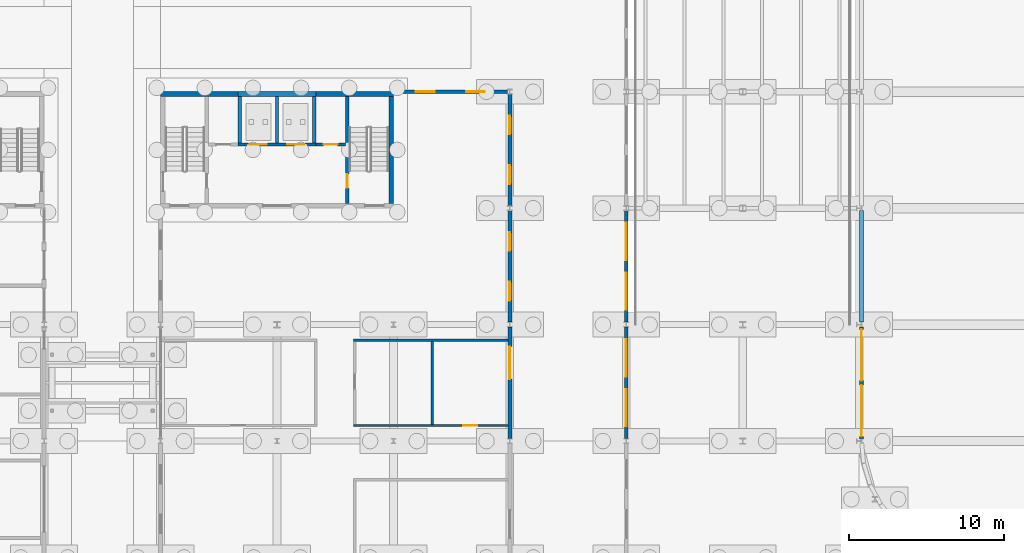
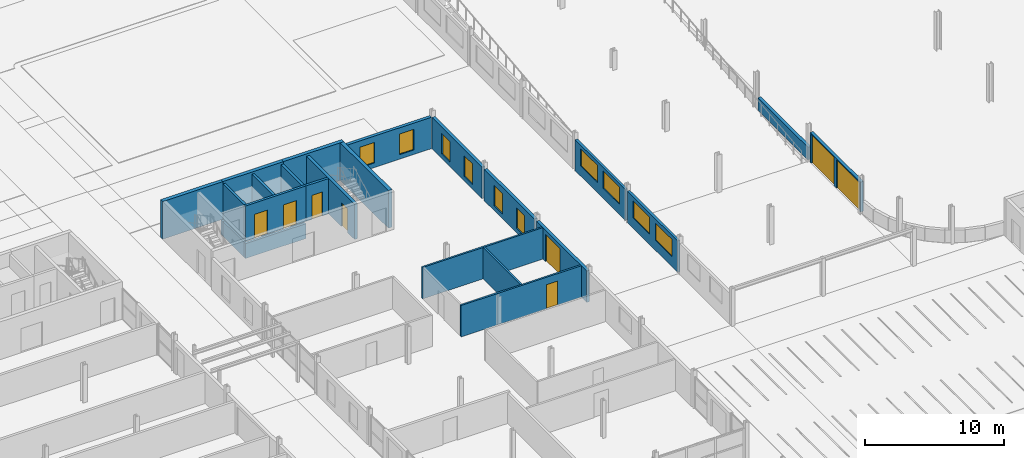
# One storey, part 88 of 130: 26 walls, 10 windows, 8 doors, 18 openings.
"""IFC4 building model written with IfcOpenShell, lengths in metres."""

from ifc_helpers import new_model, si_unit, direction, frame, frame_2d, origin, place, context, subcontext, project, spatial, rectangle, extrude, material, layer, layer_set, type_object, element, fill, save


model = new_model("IFC4")

# Units and contexts
model_context = context("Model", 3, precision=1e-05, world=origin(), true_north=direction((0.0, 1.0)))
body_context = subcontext(model_context, "Body", "Model", "MODEL_VIEW")
ifc_project = project(units=[si_unit("LENGTHUNIT", "METRE"), si_unit("AREAUNIT", "SQUARE_METRE"), si_unit("VOLUMEUNIT", "CUBIC_METRE"), si_unit("PLANEANGLEUNIT", "RADIAN"), si_unit("MASSUNIT", "GRAM", prefix="KILO")], contexts=[model_context])

# Site, building, storey
site_placement = place(None, origin())
site = spatial("IfcSite", under=ifc_project, at=site_placement, CompositionType="ELEMENT")
building_placement = place(site_placement, origin())
building = spatial("IfcBuilding", under=site, at=building_placement, Name="Parallax Yard Mobility Hub", CompositionType="ELEMENT")
storey_placement = place(building_placement, origin())
storey = spatial("IfcBuildingStorey", under=building, at=storey_placement, Name="L00", CompositionType="ELEMENT", Elevation=0.0)

# Walls
ifc_material_1 = material(Name="Concrete fc' 35 MPa", Category="concrete")
ifc_layer_1 = layer(ifc_material_1, 0.300048828125)
ifc_layer_set_1 = layer_set([ifc_layer_1], Name="Concrete fc' 35 MPa core wall 300")
wall_type_1 = type_object("IfcWallType", Name="Concrete fc' 35 MPa core wall 300", PredefinedType="SHEAR", material=ifc_layer_set_1)
for number, where, z_axis, x_axis, name in (
    (1, (150.0, 52.35009765625, 0.0), (0.0, 0.0, 1.0), (1.0, 0.0, 0.0), "Core C5 back wall part 1 level L00"),
    (2, (155.0, 52.35009765625, 0.0), (0.0, 0.0, 1.0), (1.0, 0.0, 0.0), "Core C5 back wall part 2 level L00"),
    (3, (160.0, 52.35009765625, 0.0), (0.0, 0.0, 1.0), (1.0, 0.0, 0.0), "Core C5 back wall part 3 level L00"),
):
    element("IfcWall", number, at=place(storey_placement, frame(where, z_axis=z_axis, x_axis=x_axis)), inside=storey, type_object=wall_type_1, Name=name, PredefinedType="SHEAR", context=body_context, shape_type="SweptSolid", body=[
        extrude(rectangle(XDim=5.0, YDim=0.300048828125, at=frame_2d((2.5, 0.0))), origin(), (0.0, 0.0, 1.0), 3.300048828125),
    ])
wall_1_placement = place(storey_placement, frame((164.85009765625, 45.300048828125, 0.0), z_axis=(0.0, 0.0, 1.0), x_axis=(0.0, 1.0, 0.0)))
element("IfcWall", 4, at=wall_1_placement, inside=storey, type_object=wall_type_1, Name="Core C5 east-side end wall level L00", PredefinedType="SHEAR", context=body_context, shape_type="SweptSolid", body=[
    extrude(rectangle(XDim=6.89990234375, YDim=0.300048828125, at=frame_2d((3.449951171875, 0.0))), origin(), (0.0, 0.0, 1.0), 3.300048828125),
])
wall_2_placement = place(storey_placement, frame((155.0, 52.35009765625, -1.5), z_axis=(0.0, 0.0, 1.0), x_axis=(1.0, 0.0, 0.0)))
element("IfcWall", 5, at=wall_2_placement, inside=storey, type_object=wall_type_1, Name="Core C5 lift pit wall back (shaft group 1)", PredefinedType="SHEAR", context=body_context, shape_type="SweptSolid", body=[
    extrude(rectangle(XDim=5.0, YDim=0.300048828125, at=frame_2d((2.5, 0.0))), origin(), (0.0, 0.0, 1.0), 1.300048828125),
])

# Wall, openings, doors
ifc_layer_2 = layer(ifc_material_1, 0.199951171875)
ifc_layer_set_2 = layer_set([ifc_layer_2], Name="Concrete fc' 35 MPa internal core wall 200")
wall_type_2 = type_object("IfcWallType", Name="Concrete fc' 35 MPa internal core wall 200", PredefinedType="STANDARD", material=ifc_layer_set_2)
wall_3_placement = place(storey_placement, frame((155.0, 49.10009765625, 0.0), z_axis=(0.0, 0.0, 1.0), x_axis=(1.0, 0.0, 0.0)))
wall_3 = element("IfcWall", 6, at=wall_3_placement, inside=storey, type_object=wall_type_2, Name="Core C5 lift front 2 part 2 level L00", PredefinedType="STANDARD", context=body_context, shape_type="SweptSolid", body=[
    extrude(rectangle(XDim=5.0, YDim=0.199951171875, at=frame_2d((2.5, 0.0))), origin(), (0.0, 0.0, 1.0), 3.10009765625),
])
opening_1_placement = place(wall_3_placement, frame((0.75, 0.0, 0.0)))
opening_1 = element("IfcOpeningElement", 7, at=opening_1_placement, cuts=wall_3, Name="Opening L00-D770", PredefinedType="OPENING", context=body_context, shape_type="SweptSolid", body=[
    extrude(rectangle(XDim=1.10009765625, YDim=2.10009765625, at=frame_2d((0.550048828125, 1.050048828125))), frame((0.0, 0.10986328125, 0.0), z_axis=(0.0, -1.0, 0.0), x_axis=(1.0, 0.0, 0.0)), (0.0, 0.0, 1.0), 0.219970703125),
])
opening_2_placement = place(wall_3_placement, frame((3.14990234375, 0.0, 0.0)))
opening_2 = element("IfcOpeningElement", 8, at=opening_2_placement, cuts=wall_3, Name="Opening L00-D771", PredefinedType="OPENING", context=body_context, shape_type="SweptSolid", body=[
    extrude(rectangle(XDim=1.10009765625, YDim=2.10009765625, at=frame_2d((0.550048828125, 1.050048828125))), frame((0.0, 0.10986328125, 0.0), z_axis=(0.0, -1.0, 0.0), x_axis=(1.0, 0.0, 0.0)), (0.0, 0.0, 1.0), 0.219970703125),
])
ifc_material_2 = material(Name="Stainless steel sliding door and frame", Category="steel")
door_type_1 = type_object("IfcDoorType", Name="Lift landing door 1100 x 2100 FD90", OperationType="DOUBLE_DOOR_SLIDING", PredefinedType="DOOR", material=ifc_material_2)
door_1_placement = place(opening_1_placement, origin())
door_1 = element("IfcDoor", 9, at=door_1_placement, inside=storey, type_object=door_type_1, Name="Lift landing door L00-D770, core C5 level L00", OperationType="DOUBLE_DOOR_SLIDING", OverallHeight=2.10009765625, OverallWidth=1.10009765625, PredefinedType="DOOR", context=body_context, shape_type="SweptSolid", body=[
    extrude(rectangle(XDim=1.10009765625, YDim=2.10009765625, at=frame_2d((0.550048828125, 1.050048828125))), frame((0.0, 0.02490234375, 0.0), z_axis=(0.0, -1.0, 0.0), x_axis=(1.0, 0.0, 0.0)), (0.0, 0.0, 1.0), 0.050048828125),
])
fill(opening_1, door_1)
door_2_placement = place(opening_2_placement, origin())
door_2 = element("IfcDoor", 10, at=door_2_placement, inside=storey, type_object=door_type_1, Name="Lift landing door L00-D771, core C5 level L00", OperationType="DOUBLE_DOOR_SLIDING", OverallHeight=2.10009765625, OverallWidth=1.10009765625, PredefinedType="DOOR", context=body_context, shape_type="SweptSolid", body=[
    extrude(rectangle(XDim=1.10009765625, YDim=2.10009765625, at=frame_2d((0.550048828125, 1.050048828125))), frame((0.0, 0.02490234375, 0.0), z_axis=(0.0, -1.0, 0.0), x_axis=(1.0, 0.0, 0.0)), (0.0, 0.0, 1.0), 0.050048828125),
])
fill(opening_2, door_2)

# Wall, opening, door
wall_4_placement = place(storey_placement, frame((161.89990234375, 49.10009765625, 0.0), z_axis=(0.0, 0.0, 1.0), x_axis=(-1.0, 0.0, 0.0)))
wall_4 = element("IfcWall", 11, at=wall_4_placement, inside=storey, type_object=wall_type_2, Name="Core C5 lift front 3 part 3 level L00", PredefinedType="STANDARD", context=body_context, shape_type="SweptSolid", body=[
    extrude(rectangle(XDim=1.89990234375, YDim=0.199951171875, at=frame_2d((0.949951171875, 0.0))), origin(), (0.0, 0.0, 1.0), 3.10009765625),
])
opening_3_placement = place(wall_4_placement, frame((0.5, 0.0, 0.0)))
opening_3 = element("IfcOpeningElement", 12, at=opening_3_placement, cuts=wall_4, Name="Opening L00-D773", PredefinedType="OPENING", context=body_context, shape_type="SweptSolid", body=[
    extrude(rectangle(XDim=0.89990234375, YDim=2.10009765625, at=frame_2d((0.449951171875, 1.050048828125))), frame((0.0, 0.10986328125, 0.0), z_axis=(0.0, -1.0, 0.0), x_axis=(1.0, 0.0, 0.0)), (0.0, 0.0, 1.0), 0.219970703125),
])
ifc_material_3 = material(Name="Hollow metal steel door and frame", Category="steel")
door_type_2 = type_object("IfcDoorType", Name="Riser door 900 x 2100 FD90", OperationType="NOTDEFINED", PredefinedType="DOOR", material=ifc_material_3)
door_3_placement = place(opening_3_placement, origin())
door_3 = element("IfcDoor", 13, at=door_3_placement, inside=storey, type_object=door_type_2, Name="Riser door L00-D773, core C5 level L00", OperationType="SINGLE_SWING_LEFT", OverallHeight=2.10009765625, OverallWidth=0.89990234375, PredefinedType="DOOR", context=body_context, shape_type="SweptSolid", body=[
    extrude(rectangle(XDim=0.89990234375, YDim=2.10009765625, at=frame_2d((0.449951171875, 1.050048828125))), frame((0.0, 0.02490234375, 0.0), z_axis=(0.0, -1.0, 0.0), x_axis=(1.0, 0.0, 0.0)), (0.0, 0.0, 1.0), 0.050048828125),
])
fill(opening_3, door_3)

# Walls
for number, where, z_axis, x_axis, name in (
    (14, (155.10009765625, 49.199951171875, 0.0), (0.0, 0.0, 1.0), (0.0, 1.0, 0.0), "Core C5 lift wall 1 part 1 level L00"),
    (15, (157.5, 49.199951171875, 0.0), (0.0, 0.0, 1.0), (0.0, 1.0, 0.0), "Core C5 lift wall 2 part 2 level L00"),
    (16, (159.89990234375, 49.199951171875, 0.0), (0.0, 0.0, 1.0), (0.0, 1.0, 0.0), "Core C5 lift wall 3 part 3 level L00"),
):
    element("IfcWall", number, at=place(storey_placement, frame(where, z_axis=z_axis, x_axis=x_axis)), inside=storey, type_object=wall_type_2, Name=name, PredefinedType="STANDARD", context=body_context, shape_type="SweptSolid", body=[
        extrude(rectangle(XDim=3.0, YDim=0.199951171875, at=frame_2d((1.5, 0.0))), origin(), (0.0, 0.0, 1.0), 3.10009765625),
    ])
wall_5_placement = place(storey_placement, frame((155.0, 49.10009765625, -1.5), z_axis=(0.0, 0.0, 1.0), x_axis=(1.0, 0.0, 0.0)))
element("IfcWall", 17, at=wall_5_placement, inside=storey, type_object=wall_type_2, Name="Core C5 lift pit wall front (shaft group 1)", PredefinedType="STANDARD", context=body_context, shape_type="SweptSolid", body=[
    extrude(rectangle(XDim=5.0, YDim=0.199951171875, at=frame_2d((2.5, 0.0))), origin(), (0.0, 0.0, 1.0), 1.300048828125),
])
for number, where, z_axis, x_axis, name in (
    (18, (155.10009765625, 49.199951171875, -1.5), (0.0, 0.0, 1.0), (0.0, 1.0, 0.0), "Core C5 lift pit wall side 1 (shaft group 1)"),
    (19, (157.5, 49.199951171875, -1.5), (0.0, 0.0, 1.0), (0.0, 1.0, 0.0), "Core C5 lift pit wall side 2 (shaft group 1)"),
    (20, (159.89990234375, 49.199951171875, -1.5), (0.0, 0.0, 1.0), (0.0, 1.0, 0.0), "Core C5 lift pit wall side 3 (shaft group 1)"),
):
    element("IfcWall", number, at=place(storey_placement, frame(where, z_axis=z_axis, x_axis=x_axis)), inside=storey, type_object=wall_type_2, Name=name, PredefinedType="STANDARD", context=body_context, shape_type="SweptSolid", body=[
        extrude(rectangle(XDim=3.0, YDim=0.199951171875, at=frame_2d((1.5, 0.0))), origin(), (0.0, 0.0, 1.0), 1.300048828125),
    ])

# Wall, opening, door
ifc_layer_3 = layer(ifc_material_1, 0.25)
ifc_layer_set_3 = layer_set([ifc_layer_3], Name="Concrete fc' 35 MPa stair enclosure wall 250")
wall_type_3 = type_object("IfcWallType", Name="Concrete fc' 35 MPa stair enclosure wall 250", PredefinedType="STANDARD", material=ifc_layer_set_3)
wall_6_placement = place(storey_placement, frame((162.02490234375, 52.199951171875, 0.0), z_axis=(0.0, 0.0, 1.0), x_axis=(0.0, -1.0, 0.0)))
wall_6 = element("IfcWall", 21, at=wall_6_placement, inside=storey, type_object=wall_type_3, Name="Core C5 stair 2 partition level L00", PredefinedType="STANDARD", context=body_context, shape_type="SweptSolid", body=[
    extrude(rectangle(XDim=6.89990234375, YDim=0.25, at=frame_2d((3.449951171875, 0.0))), origin(), (0.0, 0.0, 1.0), 3.10009765625),
])
opening_4_placement = place(wall_6_placement, frame((5.0, 0.0, 0.0)))
opening_4 = element("IfcOpeningElement", 22, at=opening_4_placement, cuts=wall_6, Name="Opening L00-D769", PredefinedType="OPENING", context=body_context, shape_type="SweptSolid", body=[
    extrude(rectangle(XDim=0.89990234375, YDim=2.10009765625, at=frame_2d((0.449951171875, 1.050048828125))), frame((0.0, 0.135009765625, 0.0), z_axis=(0.0, -1.0, 0.0), x_axis=(1.0, 0.0, 0.0)), (0.0, 0.0, 1.0), 0.27001953125),
])
door_type_3 = type_object("IfcDoorType", Name="Core door 900 x 2100 FD90", OperationType="NOTDEFINED", PredefinedType="DOOR", material=ifc_material_3)
door_4_placement = place(opening_4_placement, origin())
door_4 = element("IfcDoor", 23, at=door_4_placement, inside=storey, type_object=door_type_3, Name="Stair lobby door L00-D769, core C5 level L00", OperationType="SINGLE_SWING_RIGHT", OverallHeight=2.10009765625, OverallWidth=0.89990234375, PredefinedType="DOOR", context=body_context, shape_type="SweptSolid", body=[
    extrude(rectangle(XDim=0.89990234375, YDim=2.10009765625, at=frame_2d((0.449951171875, 1.050048828125))), frame((0.0, 0.02490234375, 0.0), z_axis=(0.0, -1.0, 0.0), x_axis=(1.0, 0.0, 0.0)), (0.0, 0.0, 1.0), 0.050048828125),
])
fill(opening_4, door_4)

# Wall
ifc_layer_4 = layer(ifc_material_1, 0.25)
ifc_layer_set_4 = layer_set([ifc_layer_4], Name="Deck-edge barrier wall, Concrete fc' 35 MPa precast, 250")
wall_type_4 = type_object("IfcWallType", Name="Deck-edge barrier wall, Concrete fc' 35 MPa precast, 250", PredefinedType="SOLIDWALL", material=ifc_layer_set_4)
wall_7_placement = place(storey_placement, frame((195.148681640625, 44.847412109375, 0.0), z_axis=(0.0, 0.0, 1.0), x_axis=(0.0, -1.0, 0.0)))
element("IfcWall", 24, at=wall_7_placement, inside=storey, type_object=wall_type_4, Name="Deck-edge barrier wall bay 28 level L00", PredefinedType="SOLIDWALL", context=body_context, shape_type="SweptSolid", body=[
    extrude(rectangle(XDim=7.19482421875, YDim=0.25, at=frame_2d((3.597412109375, 0.0))), origin(), (0.0, 0.0, 1.0), 1.10009765625),
])

# Wall, opening, door
ifc_layer_5 = layer(ifc_material_1, 0.25)
ifc_layer_set_5 = layer_set([ifc_layer_5], Name="Exterior wall, Concrete fc' 35 MPa precast, 250 with insulation lining")
wall_type_5 = type_object("IfcWallType", Name="Exterior wall, Concrete fc' 35 MPa precast, 250 with insulation lining", PredefinedType="SOLIDWALL", material=ifc_layer_set_5)
wall_8_placement = place(storey_placement, frame((172.5, 30.153564453125, 0.0), z_axis=(0.0, 0.0, 1.0), x_axis=(0.0, 1.0, 0.0)))
wall_8 = element("IfcWall", 25, at=wall_8_placement, inside=storey, type_object=wall_type_5, Name="Bicycle and shared-mobility hall east wall bay 4 level L00", PredefinedType="SOLIDWALL", context=body_context, shape_type="SweptSolid", body=[
    extrude(rectangle(XDim=7.19287109375, YDim=0.25, at=frame_2d((3.596435546875, 0.0))), origin(), (0.0, 0.0, 1.0), 2.7509765625),
])
opening_5_placement = place(wall_8_placement, frame((3.833984375, 0.0, 0.0)))
opening_5 = element("IfcOpeningElement", 26, at=opening_5_placement, cuts=wall_8, Name="Opening L00-D117", PredefinedType="OPENING", context=body_context, shape_type="SweptSolid", body=[
    extrude(rectangle(XDim=2.10009765625, YDim=2.39990234375, at=frame_2d((1.050048828125, 1.199951171875))), frame((0.0, 0.135009765625, 0.0), z_axis=(0.0, -1.0, 0.0), x_axis=(1.0, 0.0, 0.0)), (0.0, 0.0, 1.0), 0.27001953125),
])
ifc_material_4 = material(Name="Aluminium frame with laminated glass leaves", Category="aluminium")
door_type_4 = type_object("IfcDoorType", Name="Cycle hall door double 2100 x 2400", OperationType="DOUBLE_DOOR_SINGLE_SWING", PredefinedType="DOOR", material=ifc_material_4)
door_5_placement = place(opening_5_placement, origin())
door_5 = element("IfcDoor", 27, at=door_5_placement, inside=storey, type_object=door_type_4, Name="Store exit door L00-D117", OperationType="DOUBLE_DOOR_SINGLE_SWING", OverallHeight=2.39990234375, OverallWidth=2.10009765625, PredefinedType="DOOR", context=body_context, shape_type="SweptSolid", body=[
    extrude(rectangle(XDim=2.10009765625, YDim=2.39990234375, at=frame_2d((1.050048828125, 1.199951171875))), frame((0.0, 0.02490234375, 0.0), z_axis=(0.0, -1.0, 0.0), x_axis=(1.0, 0.0, 0.0)), (0.0, 0.0, 1.0), 0.050048828125),
])
fill(opening_5, door_5)

# Wall, openings, windows
wall_9_placement = place(storey_placement, frame((172.5, 37.653564453125, 0.0), z_axis=(0.0, 0.0, 1.0), x_axis=(0.0, 1.0, 0.0)))
wall_9 = element("IfcWall", 28, at=wall_9_placement, inside=storey, type_object=wall_type_5, Name="Bicycle and shared-mobility hall east wall bay 5 level L00", PredefinedType="SOLIDWALL", context=body_context, shape_type="SweptSolid", body=[
    extrude(rectangle(XDim=7.19287109375, YDim=0.25, at=frame_2d((3.596435546875, 0.0))), origin(), (0.0, 0.0, 1.0), 2.7509765625),
])
opening_6_placement = place(wall_9_placement, frame((1.397705078125, 0.0, 0.39990234375)))
opening_6 = element("IfcOpeningElement", 29, at=opening_6_placement, cuts=wall_9, Name="Opening LV7", PredefinedType="OPENING", context=body_context, shape_type="SweptSolid", body=[
    extrude(rectangle(XDim=1.199951171875, YDim=1.800048828125, at=frame_2d((0.60009765625, 0.89990234375))), frame((0.0, 0.135009765625, 0.0), z_axis=(0.0, -1.0, 0.0), x_axis=(1.0, 0.0, 0.0)), (0.0, 0.0, 1.0), 0.27001953125),
])
opening_7_placement = place(wall_9_placement, frame((4.59521484375, 0.0, 0.39990234375)))
opening_7 = element("IfcOpeningElement", 30, at=opening_7_placement, cuts=wall_9, Name="Opening LV7", PredefinedType="OPENING", context=body_context, shape_type="SweptSolid", body=[
    extrude(rectangle(XDim=1.199951171875, YDim=1.800048828125, at=frame_2d((0.60009765625, 0.89990234375))), frame((0.0, 0.135009765625, 0.0), z_axis=(0.0, -1.0, 0.0), x_axis=(1.0, 0.0, 0.0)), (0.0, 0.0, 1.0), 0.27001953125),
])
ifc_material_5 = material(Name="Extruded aluminium storm louvre blades in a powder-coated frame", Category="aluminium")
window_type_1 = type_object("IfcWindowType", Name="Store louvre 1200 x 1800", PartitioningType="SINGLE_PANEL", PredefinedType="WINDOW", material=ifc_material_5)
window_1_placement = place(opening_6_placement, origin())
window_1 = element("IfcWindow", 31, at=window_1_placement, inside=storey, type_object=window_type_1, Name="LV7 louvre level L00", OverallHeight=1.800048828125, OverallWidth=1.199951171875, PartitioningType="SINGLE_PANEL", PredefinedType="WINDOW", context=body_context, shape_type="SweptSolid", body=[
    extrude(rectangle(XDim=1.199951171875, YDim=1.800048828125, at=frame_2d((0.60009765625, 0.89990234375))), frame((0.0, 0.030029296875, 0.0), z_axis=(0.0, -1.0, 0.0), x_axis=(1.0, 0.0, 0.0)), (0.0, 0.0, 1.0), 0.06005859375),
])
fill(opening_6, window_1)
window_2_placement = place(opening_7_placement, origin())
window_2 = element("IfcWindow", 32, at=window_2_placement, inside=storey, type_object=window_type_1, Name="LV7 louvre level L00", OverallHeight=1.800048828125, OverallWidth=1.199951171875, PartitioningType="SINGLE_PANEL", PredefinedType="WINDOW", context=body_context, shape_type="SweptSolid", body=[
    extrude(rectangle(XDim=1.199951171875, YDim=1.800048828125, at=frame_2d((0.60009765625, 0.89990234375))), frame((0.0, 0.030029296875, 0.0), z_axis=(0.0, -1.0, 0.0), x_axis=(1.0, 0.0, 0.0)), (0.0, 0.0, 1.0), 0.06005859375),
])
fill(opening_7, window_2)

wall_10_placement = place(storey_placement, frame((172.5, 45.153564453125, 0.0), z_axis=(0.0, 0.0, 1.0), x_axis=(0.0, 1.0, 0.0)))
wall_10 = element("IfcWall", 33, at=wall_10_placement, inside=storey, type_object=wall_type_5, Name="Bicycle and shared-mobility hall east wall bay 6 level L00", PredefinedType="SOLIDWALL", context=body_context, shape_type="SweptSolid", body=[
    extrude(rectangle(XDim=7.19287109375, YDim=0.25, at=frame_2d((3.596435546875, 0.0))), origin(), (0.0, 0.0, 1.0), 2.7509765625),
])
opening_8_placement = place(wall_10_placement, frame((1.397705078125, 0.0, 0.39990234375)))
opening_8 = element("IfcOpeningElement", 34, at=opening_8_placement, cuts=wall_10, Name="Opening LV7", PredefinedType="OPENING", context=body_context, shape_type="SweptSolid", body=[
    extrude(rectangle(XDim=1.199951171875, YDim=1.800048828125, at=frame_2d((0.60009765625, 0.89990234375))), frame((0.0, 0.135009765625, 0.0), z_axis=(0.0, -1.0, 0.0), x_axis=(1.0, 0.0, 0.0)), (0.0, 0.0, 1.0), 0.27001953125),
])
opening_9_placement = place(wall_10_placement, frame((4.59521484375, 0.0, 0.39990234375)))
opening_9 = element("IfcOpeningElement", 35, at=opening_9_placement, cuts=wall_10, Name="Opening LV7", PredefinedType="OPENING", context=body_context, shape_type="SweptSolid", body=[
    extrude(rectangle(XDim=1.199951171875, YDim=1.800048828125, at=frame_2d((0.60009765625, 0.89990234375))), frame((0.0, 0.135009765625, 0.0), z_axis=(0.0, -1.0, 0.0), x_axis=(1.0, 0.0, 0.0)), (0.0, 0.0, 1.0), 0.27001953125),
])
window_3_placement = place(opening_8_placement, origin())
window_3 = element("IfcWindow", 36, at=window_3_placement, inside=storey, type_object=window_type_1, Name="LV7 louvre level L00", OverallHeight=1.800048828125, OverallWidth=1.199951171875, PartitioningType="SINGLE_PANEL", PredefinedType="WINDOW", context=body_context, shape_type="SweptSolid", body=[
    extrude(rectangle(XDim=1.199951171875, YDim=1.800048828125, at=frame_2d((0.60009765625, 0.89990234375))), frame((0.0, 0.030029296875, 0.0), z_axis=(0.0, -1.0, 0.0), x_axis=(1.0, 0.0, 0.0)), (0.0, 0.0, 1.0), 0.06005859375),
])
fill(opening_8, window_3)
window_4_placement = place(opening_9_placement, origin())
window_4 = element("IfcWindow", 37, at=window_4_placement, inside=storey, type_object=window_type_1, Name="LV7 louvre level L00", OverallHeight=1.800048828125, OverallWidth=1.199951171875, PartitioningType="SINGLE_PANEL", PredefinedType="WINDOW", context=body_context, shape_type="SweptSolid", body=[
    extrude(rectangle(XDim=1.199951171875, YDim=1.800048828125, at=frame_2d((0.60009765625, 0.89990234375))), frame((0.0, 0.030029296875, 0.0), z_axis=(0.0, -1.0, 0.0), x_axis=(1.0, 0.0, 0.0)), (0.0, 0.0, 1.0), 0.06005859375),
])
fill(opening_9, window_4)

wall_11_placement = place(storey_placement, frame((165.0, 52.5, 0.0), z_axis=(0.0, 0.0, 1.0), x_axis=(1.0, 0.0, 0.0)))
wall_11 = element("IfcWall", 38, at=wall_11_placement, inside=storey, type_object=wall_type_5, Name="Bicycle and shared-mobility hall north wall bay 1 level L00", PredefinedType="SOLIDWALL", context=body_context, shape_type="SweptSolid", body=[
    extrude(rectangle(XDim=7.346435546875, YDim=0.25, at=frame_2d((3.67333984375, 0.0))), origin(), (0.0, 0.0, 1.0), 2.7509765625),
])
opening_10_placement = place(wall_11_placement, frame((1.44873046875, 0.0, 0.39990234375)))
opening_10 = element("IfcOpeningElement", 39, at=opening_10_placement, cuts=wall_11, Name="Opening LV7", PredefinedType="OPENING", context=body_context, shape_type="SweptSolid", body=[
    extrude(rectangle(XDim=1.199951171875, YDim=1.800048828125, at=frame_2d((0.60009765625, 0.89990234375))), frame((0.0, 0.135009765625, 0.0), z_axis=(0.0, -1.0, 0.0), x_axis=(1.0, 0.0, 0.0)), (0.0, 0.0, 1.0), 0.27001953125),
])
opening_11_placement = place(wall_11_placement, frame((4.69775390625, 0.0, 0.39990234375)))
opening_11 = element("IfcOpeningElement", 40, at=opening_11_placement, cuts=wall_11, Name="Opening LV7", PredefinedType="OPENING", context=body_context, shape_type="SweptSolid", body=[
    extrude(rectangle(XDim=1.199951171875, YDim=1.800048828125, at=frame_2d((0.60009765625, 0.89990234375))), frame((0.0, 0.135009765625, 0.0), z_axis=(0.0, -1.0, 0.0), x_axis=(1.0, 0.0, 0.0)), (0.0, 0.0, 1.0), 0.27001953125),
])
window_5_placement = place(opening_10_placement, origin())
window_5 = element("IfcWindow", 41, at=window_5_placement, inside=storey, type_object=window_type_1, Name="LV7 louvre level L00", OverallHeight=1.800048828125, OverallWidth=1.199951171875, PartitioningType="SINGLE_PANEL", PredefinedType="WINDOW", context=body_context, shape_type="SweptSolid", body=[
    extrude(rectangle(XDim=1.199951171875, YDim=1.800048828125, at=frame_2d((0.60009765625, 0.89990234375))), frame((0.0, 0.030029296875, 0.0), z_axis=(0.0, -1.0, 0.0), x_axis=(1.0, 0.0, 0.0)), (0.0, 0.0, 1.0), 0.06005859375),
])
fill(opening_10, window_5)
window_6_placement = place(opening_11_placement, origin())
window_6 = element("IfcWindow", 42, at=window_6_placement, inside=storey, type_object=window_type_1, Name="LV7 louvre level L00", OverallHeight=1.800048828125, OverallWidth=1.199951171875, PartitioningType="SINGLE_PANEL", PredefinedType="WINDOW", context=body_context, shape_type="SweptSolid", body=[
    extrude(rectangle(XDim=1.199951171875, YDim=1.800048828125, at=frame_2d((0.60009765625, 0.89990234375))), frame((0.0, 0.030029296875, 0.0), z_axis=(0.0, -1.0, 0.0), x_axis=(1.0, 0.0, 0.0)), (0.0, 0.0, 1.0), 0.06005859375),
])
fill(opening_11, window_6)

# Wall, openings, doors
ifc_layer_6 = layer(ifc_material_1, 0.25)
ifc_layer_set_6 = layer_set([ifc_layer_6], Name="Ground-floor base wall, Concrete fc' 35 MPa precast, 250")
wall_type_6 = type_object("IfcWallType", Name="Ground-floor base wall, Concrete fc' 35 MPa precast, 250", PredefinedType="SOLIDWALL", material=ifc_layer_set_6)
wall_12_placement = place(storey_placement, frame((195.148681640625, 37.347412109375, 0.0), z_axis=(0.0, 0.0, 1.0), x_axis=(0.000406476492, -0.999999917388, 0.0)))
wall_12 = element("IfcWall", 43, at=wall_12_placement, inside=storey, type_object=wall_type_6, Name="Vehicle gate portal wall bay 29 level L00", PredefinedType="SOLIDWALL", context=body_context, shape_type="SweptSolid", body=[
    extrude(rectangle(XDim=7.20751953125, YDim=0.25, at=frame_2d((3.603759765625, 0.0))), origin(), (0.0, 0.0, 1.0), 2.60009765625),
])
opening_12_placement = place(wall_12_placement, frame((0.15380859375, 0.0, 0.0)))
opening_12 = element("IfcOpeningElement", 44, at=opening_12_placement, cuts=wall_12, Name="Opening L00-D009", PredefinedType="OPENING", context=body_context, shape_type="SweptSolid", body=[
    extrude(rectangle(XDim=3.300048828125, YDim=2.5, at=frame_2d((1.64990234375, 1.25))), frame((0.0, 0.135009765625, 0.0), z_axis=(0.0, -1.0, 0.0), x_axis=(1.0, 0.0, 0.0)), (0.0, 0.0, 1.0), 0.27001953125),
])
opening_13_placement = place(wall_12_placement, frame((3.75390625, 0.0, 0.0)))
opening_13 = element("IfcOpeningElement", 45, at=opening_13_placement, cuts=wall_12, Name="Opening L00-D010", PredefinedType="OPENING", context=body_context, shape_type="SweptSolid", body=[
    extrude(rectangle(XDim=3.300048828125, YDim=2.5, at=frame_2d((1.64990234375, 1.25))), frame((0.0, 0.135009765625, 0.0), z_axis=(0.0, -1.0, 0.0), x_axis=(1.0, 0.0, 0.0)), (0.0, 0.0, 1.0), 0.27001953125),
])
ifc_material_6 = material(Name="Insulated steel roller shutter", Category="steel")
door_type_5 = type_object("IfcDoorType", Name="Vehicle roller gate 3300 x 2500", OperationType="ROLLINGUP", PredefinedType="DOOR", material=ifc_material_6)
door_6_placement = place(opening_12_placement, origin())
door_6 = element("IfcDoor", 46, at=door_6_placement, inside=storey, type_object=door_type_5, Name="Vehicle roller gate L00-D009", OperationType="ROLLINGUP", OverallHeight=2.5, OverallWidth=3.300048828125, PredefinedType="DOOR", context=body_context, shape_type="SweptSolid", body=[
    extrude(rectangle(XDim=3.300048828125, YDim=2.5, at=frame_2d((1.64990234375, 1.25))), frame((0.0, 0.02490234375, 0.0), z_axis=(0.0, -1.0, 0.0), x_axis=(1.0, 0.0, 0.0)), (0.0, 0.0, 1.0), 0.050048828125),
])
fill(opening_12, door_6)
door_7_placement = place(opening_13_placement, origin())
door_7 = element("IfcDoor", 47, at=door_7_placement, inside=storey, type_object=door_type_5, Name="Vehicle roller gate L00-D010", OperationType="ROLLINGUP", OverallHeight=2.5, OverallWidth=3.300048828125, PredefinedType="DOOR", context=body_context, shape_type="SweptSolid", body=[
    extrude(rectangle(XDim=3.300048828125, YDim=2.5, at=frame_2d((1.64990234375, 1.25))), frame((0.0, 0.02490234375, 0.0), z_axis=(0.0, -1.0, 0.0), x_axis=(1.0, 0.0, 0.0)), (0.0, 0.0, 1.0), 0.050048828125),
])
fill(opening_13, door_7)

# Wall, openings, windows
ifc_layer_7 = layer(ifc_material_1, 0.199951171875)
ifc_layer_set_7 = layer_set([ifc_layer_7], Name="Louvre screen wall, Concrete fc' 35 MPa precast, 200")
wall_type_7 = type_object("IfcWallType", Name="Louvre screen wall, Concrete fc' 35 MPa precast, 200", PredefinedType="SOLIDWALL", material=ifc_layer_set_7)
wall_13_placement = place(storey_placement, frame((180.0, 30.153564453125, 0.0), z_axis=(0.0, 0.0, 1.0), x_axis=(0.0, 1.0, 0.0)))
wall_13 = element("IfcWall", 48, at=wall_13_placement, inside=storey, type_object=wall_type_7, Name="Ramp house west wall bay 2 level L00", PredefinedType="SOLIDWALL", context=body_context, shape_type="SweptSolid", body=[
    extrude(rectangle(XDim=7.19287109375, YDim=0.199951171875, at=frame_2d((3.596435546875, 0.0))), origin(), (0.0, 0.0, 1.0), 2.75390625),
])
opening_14_placement = place(wall_13_placement, frame((0.797607421875, 0.0, 0.89990234375)))
opening_14 = element("IfcOpeningElement", 49, at=opening_14_placement, cuts=wall_13, Name="Opening W1", PredefinedType="OPENING", context=body_context, shape_type="SweptSolid", body=[
    extrude(rectangle(XDim=2.39990234375, YDim=1.5, at=frame_2d((1.199951171875, 0.75))), frame((0.0, 0.10986328125, 0.0), z_axis=(0.0, -1.0, 0.0), x_axis=(1.0, 0.0, 0.0)), (0.0, 0.0, 1.0), 0.219970703125),
])
opening_15_placement = place(wall_13_placement, frame((3.995361328125, 0.0, 0.89990234375)))
opening_15 = element("IfcOpeningElement", 50, at=opening_15_placement, cuts=wall_13, Name="Opening W1", PredefinedType="OPENING", context=body_context, shape_type="SweptSolid", body=[
    extrude(rectangle(XDim=2.39990234375, YDim=1.5, at=frame_2d((1.199951171875, 0.75))), frame((0.0, 0.10986328125, 0.0), z_axis=(0.0, -1.0, 0.0), x_axis=(1.0, 0.0, 0.0)), (0.0, 0.0, 1.0), 0.219970703125),
])
ifc_material_7 = material(Name="Double glazed low-E unit in thermally broken aluminium frame", Category="aluminium")
window_type_2 = type_object("IfcWindowType", Name="Window 2400 x 1500", PartitioningType="DOUBLE_PANEL_VERTICAL", PredefinedType="WINDOW", material=ifc_material_7)
window_7_placement = place(opening_14_placement, origin())
window_7 = element("IfcWindow", 51, at=window_7_placement, inside=storey, type_object=window_type_2, Name="Window W1 level L00", OverallHeight=1.5, OverallWidth=2.39990234375, PartitioningType="DOUBLE_PANEL_VERTICAL", PredefinedType="WINDOW", context=body_context, shape_type="SweptSolid", body=[
    extrude(rectangle(XDim=2.39990234375, YDim=1.5, at=frame_2d((1.199951171875, 0.75))), frame((0.0, 0.030029296875, 0.0), z_axis=(0.0, -1.0, 0.0), x_axis=(1.0, 0.0, 0.0)), (0.0, 0.0, 1.0), 0.06005859375),
])
fill(opening_14, window_7)
window_8_placement = place(opening_15_placement, origin())
window_8 = element("IfcWindow", 52, at=window_8_placement, inside=storey, type_object=window_type_2, Name="Window W1 level L00", OverallHeight=1.5, OverallWidth=2.39990234375, PartitioningType="DOUBLE_PANEL_VERTICAL", PredefinedType="WINDOW", context=body_context, shape_type="SweptSolid", body=[
    extrude(rectangle(XDim=2.39990234375, YDim=1.5, at=frame_2d((1.199951171875, 0.75))), frame((0.0, 0.030029296875, 0.0), z_axis=(0.0, -1.0, 0.0), x_axis=(1.0, 0.0, 0.0)), (0.0, 0.0, 1.0), 0.06005859375),
])
fill(opening_15, window_8)

wall_14_placement = place(storey_placement, frame((180.0, 37.653564453125, 0.0), z_axis=(0.0, 0.0, 1.0), x_axis=(0.0, 1.0, 0.0)))
wall_14 = element("IfcWall", 53, at=wall_14_placement, inside=storey, type_object=wall_type_7, Name="Ramp house west wall bay 3 level L00", PredefinedType="SOLIDWALL", context=body_context, shape_type="SweptSolid", body=[
    extrude(rectangle(XDim=7.19287109375, YDim=0.199951171875, at=frame_2d((3.596435546875, 0.0))), origin(), (0.0, 0.0, 1.0), 2.7099609375),
])
opening_16_placement = place(wall_14_placement, frame((0.797607421875, 0.0, 0.89990234375)))
opening_16 = element("IfcOpeningElement", 54, at=opening_16_placement, cuts=wall_14, Name="Opening W1", PredefinedType="OPENING", context=body_context, shape_type="SweptSolid", body=[
    extrude(rectangle(XDim=2.39990234375, YDim=1.5, at=frame_2d((1.199951171875, 0.75))), frame((0.0, 0.10986328125, 0.0), z_axis=(0.0, -1.0, 0.0), x_axis=(1.0, 0.0, 0.0)), (0.0, 0.0, 1.0), 0.219970703125),
])
opening_17_placement = place(wall_14_placement, frame((3.995361328125, 0.0, 0.89990234375)))
opening_17 = element("IfcOpeningElement", 55, at=opening_17_placement, cuts=wall_14, Name="Opening W1", PredefinedType="OPENING", context=body_context, shape_type="SweptSolid", body=[
    extrude(rectangle(XDim=2.39990234375, YDim=1.5, at=frame_2d((1.199951171875, 0.75))), frame((0.0, 0.10986328125, 0.0), z_axis=(0.0, -1.0, 0.0), x_axis=(1.0, 0.0, 0.0)), (0.0, 0.0, 1.0), 0.219970703125),
])
window_9_placement = place(opening_16_placement, origin())
window_9 = element("IfcWindow", 56, at=window_9_placement, inside=storey, type_object=window_type_2, Name="Window W1 level L00", OverallHeight=1.5, OverallWidth=2.39990234375, PartitioningType="DOUBLE_PANEL_VERTICAL", PredefinedType="WINDOW", context=body_context, shape_type="SweptSolid", body=[
    extrude(rectangle(XDim=2.39990234375, YDim=1.5, at=frame_2d((1.199951171875, 0.75))), frame((0.0, 0.030029296875, 0.0), z_axis=(0.0, -1.0, 0.0), x_axis=(1.0, 0.0, 0.0)), (0.0, 0.0, 1.0), 0.06005859375),
])
fill(opening_16, window_9)
window_10_placement = place(opening_17_placement, origin())
window_10 = element("IfcWindow", 57, at=window_10_placement, inside=storey, type_object=window_type_2, Name="Window W1 level L00", OverallHeight=1.5, OverallWidth=2.39990234375, PartitioningType="DOUBLE_PANEL_VERTICAL", PredefinedType="WINDOW", context=body_context, shape_type="SweptSolid", body=[
    extrude(rectangle(XDim=2.39990234375, YDim=1.5, at=frame_2d((1.199951171875, 0.75))), frame((0.0, 0.030029296875, 0.0), z_axis=(0.0, -1.0, 0.0), x_axis=(1.0, 0.0, 0.0)), (0.0, 0.0, 1.0), 0.06005859375),
])
fill(opening_17, window_10)

# Wall, opening, door
ifc_material_8 = material(Name="Plasterboard partition on light framing")
ifc_layer_8 = layer(ifc_material_8, 0.14990234375)
ifc_layer_set_8 = layer_set([ifc_layer_8], Name="Partition 150 mm")
wall_type_8 = type_object("IfcWallType", Name="Partition 150 mm", PredefinedType="PARTITIONING", material=ifc_layer_set_8)
wall_15_placement = place(storey_placement, frame((162.425048828125, 31.0, 0.0), z_axis=(0.0, 0.0, 1.0), x_axis=(1.0, 0.0, 0.0)))
wall_15 = element("IfcWall", 58, at=wall_15_placement, inside=storey, type_object=wall_type_8, Name="Partition 18 level L00", PredefinedType="PARTITIONING", context=body_context, shape_type="SweptSolid", body=[
    extrude(rectangle(XDim=9.949951171875, YDim=0.14990234375, at=frame_2d((4.97509765625, 0.0))), origin(), (0.0, 0.0, 1.0), 2.7509765625),
])
opening_18_placement = place(wall_15_placement, frame((7.087890625, 0.0, 0.0)))
opening_18 = element("IfcOpeningElement", 59, at=opening_18_placement, cuts=wall_15, Name="Opening L00-D216", PredefinedType="OPENING", context=body_context, shape_type="SweptSolid", body=[
    extrude(rectangle(XDim=0.89990234375, YDim=2.10009765625, at=frame_2d((0.449951171875, 1.050048828125))), frame((0.0, 0.0849609375, 0.0), z_axis=(0.0, -1.0, 0.0), x_axis=(1.0, 0.0, 0.0)), (0.0, 0.0, 1.0), 0.169921875),
])
ifc_material_9 = material(Name="Solid timber door leaf", Category="wood")
door_type_6 = type_object("IfcDoorType", Name="Interior door 900 mm", OperationType="NOTDEFINED", PredefinedType="DOOR", material=ifc_material_9)
door_8_placement = place(opening_18_placement, origin())
door_8 = element("IfcDoor", 60, at=door_8_placement, inside=storey, type_object=door_type_6, Name="Door L00-D216 Women's Shower Room", OperationType="SINGLE_SWING_RIGHT", OverallHeight=2.10009765625, OverallWidth=0.89990234375, PredefinedType="DOOR", context=body_context, shape_type="SweptSolid", body=[
    extrude(rectangle(XDim=0.89990234375, YDim=2.10009765625, at=frame_2d((0.449951171875, 1.050048828125))), frame((0.0, 0.02490234375, 0.0), z_axis=(0.0, -1.0, 0.0), x_axis=(1.0, 0.0, 0.0)), (0.0, 0.0, 1.0), 0.050048828125),
])
fill(opening_18, door_8)

# Walls
wall_16_placement = place(storey_placement, frame((162.425048828125, 36.5, 0.0), z_axis=(0.0, 0.0, 1.0), x_axis=(1.0, 0.0, 0.0)))
element("IfcWall", 61, at=wall_16_placement, inside=storey, type_object=wall_type_8, Name="Partition 26 level L00", PredefinedType="PARTITIONING", context=body_context, shape_type="SweptSolid", body=[
    extrude(rectangle(XDim=9.949951171875, YDim=0.14990234375, at=frame_2d((4.97509765625, 0.0))), origin(), (0.0, 0.0, 1.0), 2.7509765625),
])
wall_17_placement = place(storey_placement, frame((167.5, 31.074951171875, 0.0), z_axis=(0.0, 0.0, 1.0), x_axis=(0.0, 1.0, 0.0)))
element("IfcWall", 62, at=wall_17_placement, inside=storey, type_object=wall_type_8, Name="Partition 112 level L00", PredefinedType="PARTITIONING", context=body_context, shape_type="SweptSolid", body=[
    extrude(rectangle(XDim=5.35009765625, YDim=0.14990234375, at=frame_2d((2.675048828125, 0.0))), origin(), (0.0, 0.0, 1.0), 2.75390625),
])

save(model, "model.ifc")
